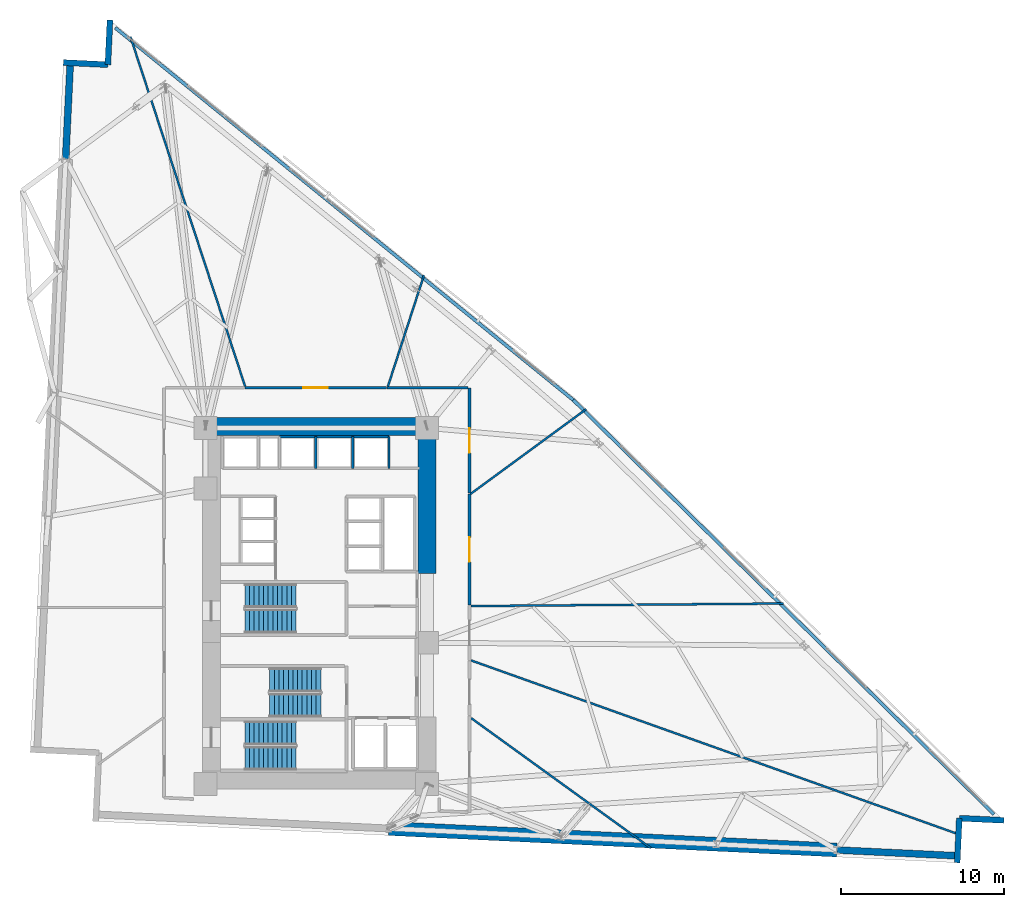
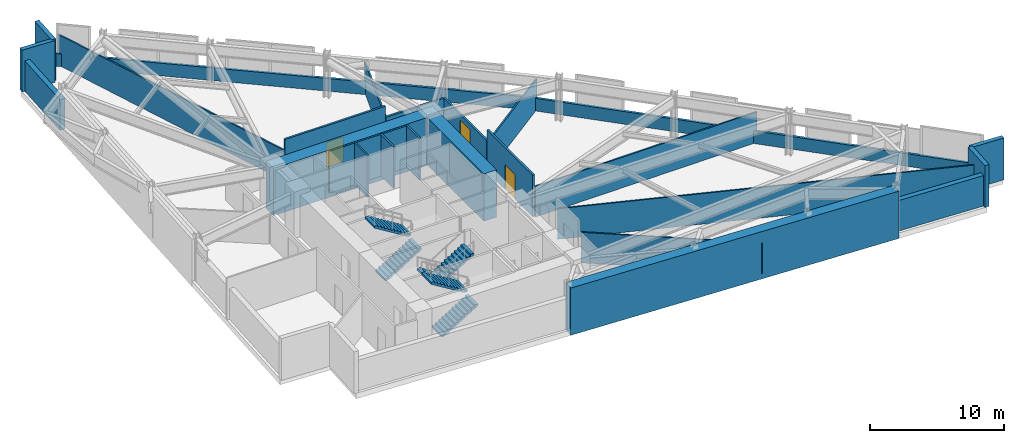
# One storey, part 14 of 18: 25 walls, 6 stair flights, 3 doors, 3 openings, 3 elements without a shape of their own.
"""IFC4 building model written with IfcOpenShell, lengths in metres."""

from ifc_helpers import new_model, si_unit, direction, frame, frame_2d, origin, place, context, subcontext, project, spatial, polyline, rectangle, outline, extrude, material, layer, layer_set, type_object, element, fill, aggregate, save


model = new_model("IFC4")

# Units and contexts
model_context = context("Model", 3, precision=1e-05, world=origin(), true_north=direction((0.0, 1.0)))
body_context = subcontext(model_context, "Body", "Model", "MODEL_VIEW")
ifc_project = project(units=[si_unit("LENGTHUNIT", "METRE"), si_unit("AREAUNIT", "SQUARE_METRE"), si_unit("VOLUMEUNIT", "CUBIC_METRE"), si_unit("PLANEANGLEUNIT", "RADIAN"), si_unit("MASSUNIT", "GRAM", prefix="KILO")], contexts=[model_context])

# Site, building, storey
site_placement = place(None, origin())
site = spatial("IfcSite", under=ifc_project, at=site_placement, CompositionType="ELEMENT")
building_placement = place(site_placement, origin())
building = spatial("IfcBuilding", under=site, at=building_placement, Name="Narakoshi Arena Tower", CompositionType="ELEMENT")
storey_placement = place(building_placement, frame((0.0, 0.0, 59.10009765625)))
storey = spatial("IfcBuildingStorey", under=building, at=storey_placement, Name="L15", CompositionType="ELEMENT", Elevation=59.10009765625)

# Walls
ifc_material_1 = material(Name="Concrete C60/75", Category="concrete")
ifc_layer_1 = layer(ifc_material_1, 1.10009765625)
ifc_layer_set_1 = layer_set([ifc_layer_1], Name="Concrete C60/75")
wall_type_1 = type_object("IfcWallType", Name="WL-CORE-1100", PredefinedType="SHEAR", material=ifc_layer_set_1)
wall_1_placement = place(storey_placement, frame((71.800048828125, 56.60009765625, -0.5), z_axis=(0.0, 0.0, 1.0), x_axis=(1.0, 0.0, 0.0)))
element("IfcWall", 1, at=wall_1_placement, inside=storey, type_object=wall_type_1, Name="L15 Main Core Shear Wall CW-MN-N", PredefinedType="SHEAR", context=body_context, shape_type="SweptSolid", body=[
    extrude(rectangle(XDim=14.300048828125, YDim=1.10009765625, at=frame_2d((7.14990234375, 0.0))), origin(), (0.0, 0.0, 1.0), 4.2998046875),
])
wall_2_placement = place(storey_placement, frame((85.550048828125, 47.60009765625, -0.5), z_axis=(0.0, 0.0, 1.0), x_axis=(0.0, 1.0, 0.0)))
element("IfcWall", 2, at=wall_2_placement, inside=storey, type_object=wall_type_1, Name="L15 Main Core Shear Wall CW-MN-E", PredefinedType="SHEAR", context=body_context, shape_type="SweptSolid", body=[
    extrude(rectangle(XDim=8.449951171875, YDim=1.10009765625, at=frame_2d((4.22509765625, 0.0))), origin(), (0.0, 0.0, 1.0), 4.2998046875),
])

# Wall, opening, door
ifc_material_2 = material(Name="Gypsum plasterboard fire-rated partition")
ifc_layer_2 = layer(ifc_material_2, 0.1650390625)
ifc_layer_set_2 = layer_set([ifc_layer_2], Name="Gypsum plasterboard fire-rated partition")
wall_type_2 = type_object("IfcWallType", Name="WL-CORR-165", PredefinedType="PARTITIONING", material=ifc_layer_set_2)
wall_3_placement = place(storey_placement, frame((88.14990234375, 45.65283203125, 0.0), z_axis=(0.0, 0.0, 1.0), x_axis=(0.0, 1.0, 0.0)))
wall_3 = element("IfcWall", 3, at=wall_3_placement, inside=storey, type_object=wall_type_2, Name="L15 Corridor Partition 06-1", PredefinedType="PARTITIONING", context=body_context, shape_type="SweptSolid", body=[
    extrude(rectangle(XDim=6.7880859375, YDim=0.1650390625, at=frame_2d((3.39404296875, 0.0))), origin(), (0.0, 0.0, 1.0), 3.7998046875),
])
opening_1_placement = place(wall_3_placement, frame((2.64404296875, 0.0, 0.0)))
opening_1 = element("IfcOpeningElement", 4, at=opening_1_placement, cuts=wall_3, Name="Opening D-09", PredefinedType="OPENING", context=body_context, shape_type="SweptSolid", body=[
    extrude(rectangle(XDim=1.5, YDim=2.25, at=frame_2d((0.75, 1.125))), frame((0.0, 0.092529296875, 0.0), z_axis=(0.0, -1.0, 0.0), x_axis=(1.0, 0.0, 0.0)), (0.0, 0.0, 1.0), 0.18505859375),
])
ifc_material_3 = material(Name="Painted galvanized steel", Category="steel")
door_type = type_object("IfcDoorType", Name="DR-PLT-1500", OperationType="DOUBLE_DOOR_SINGLE_SWING", PredefinedType="DOOR", material=ifc_material_3)
door_1_placement = place(opening_1_placement, frame((1.5, 0.0, 0.0), z_axis=(0.0, 0.0, 1.0), x_axis=(-1.0, 0.0, 0.0)))
door_1 = element("IfcDoor", 5, at=door_1_placement, inside=storey, type_object=door_type, Name="DR-L15-018", OperationType="DOUBLE_DOOR_SINGLE_SWING", OverallHeight=2.25, OverallWidth=1.5, PredefinedType="DOOR", context=body_context, shape_type="SweptSolid", body=[
    extrude(rectangle(XDim=1.5, YDim=2.25, at=frame_2d((0.75, 1.125))), frame((0.0, 0.02490234375, 0.0), z_axis=(0.0, -1.0, 0.0), x_axis=(1.0, 0.0, 0.0)), (0.0, 0.0, 1.0), 0.050048828125),
])
fill(opening_1, door_1)

wall_4_placement = place(storey_placement, frame((88.14990234375, 52.5029296875, 0.0), z_axis=(0.0, 0.0, 1.0), x_axis=(0.0, 1.0, 0.0)))
wall_4 = element("IfcWall", 6, at=wall_4_placement, inside=storey, type_object=wall_type_2, Name="L15 Corridor Partition 07-1", PredefinedType="PARTITIONING", context=body_context, shape_type="SweptSolid", body=[
    extrude(rectangle(XDim=6.447021484375, YDim=0.1650390625, at=frame_2d((3.2236328125, 0.0))), origin(), (0.0, 0.0, 1.0), 2.77685546875),
])
opening_2_placement = place(wall_4_placement, frame((2.473388671875, 0.0, 0.0)))
opening_2 = element("IfcOpeningElement", 7, at=opening_2_placement, cuts=wall_4, Name="Opening D-09", PredefinedType="OPENING", context=body_context, shape_type="SweptSolid", body=[
    extrude(rectangle(XDim=1.5, YDim=2.25, at=frame_2d((0.75, 1.125))), frame((0.0, 0.092529296875, 0.0), z_axis=(0.0, -1.0, 0.0), x_axis=(1.0, 0.0, 0.0)), (0.0, 0.0, 1.0), 0.18505859375),
])
door_2_placement = place(opening_2_placement, frame((1.5, 0.0, 0.0), z_axis=(0.0, 0.0, 1.0), x_axis=(-1.0, 0.0, 0.0)))
door_2 = element("IfcDoor", 8, at=door_2_placement, inside=storey, type_object=door_type, Name="DR-L15-019", OperationType="DOUBLE_DOOR_SINGLE_SWING", OverallHeight=2.25, OverallWidth=1.5, PredefinedType="DOOR", context=body_context, shape_type="SweptSolid", body=[
    extrude(rectangle(XDim=1.5, YDim=2.25, at=frame_2d((0.75, 1.125))), frame((0.0, 0.02490234375, 0.0), z_axis=(0.0, -1.0, 0.0), x_axis=(1.0, 0.0, 0.0)), (0.0, 0.0, 1.0), 0.050048828125),
])
fill(opening_2, door_2)

# Wall
wall_5_placement = place(storey_placement, frame((88.055419921875, 58.949951171875, 0.0), z_axis=(0.0, 0.0, 1.0), x_axis=(-1.0, 0.0, 0.0)))
element("IfcWall", 9, at=wall_5_placement, inside=storey, type_object=wall_type_2, Name="L15 Corridor Partition 07-2", PredefinedType="PARTITIONING", context=body_context, shape_type="SweptSolid", body=[
    extrude(rectangle(XDim=4.969482421875, YDim=0.1650390625, at=frame_2d((2.48486328125, 0.0))), origin(), (0.0, 0.0, 1.0), 2.77685546875),
])

# Wall, opening, door
wall_6_placement = place(storey_placement, frame((83.060791015625, 58.949951171875, 0.0), z_axis=(0.0, 0.0, 1.0), x_axis=(-1.0, 0.0, 0.0)))
wall_6 = element("IfcWall", 10, at=wall_6_placement, inside=storey, type_object=wall_type_2, Name="L15 Corridor Partition 08-1", PredefinedType="PARTITIONING", context=body_context, shape_type="SweptSolid", body=[
    extrude(rectangle(XDim=8.650390625, YDim=0.1650390625, at=frame_2d((4.3251953125, 0.0))), origin(), (0.0, 0.0, 1.0), 3.7998046875),
])
opening_3_placement = place(wall_6_placement, frame((3.5751953125, 0.0, 0.0)))
opening_3 = element("IfcOpeningElement", 11, at=opening_3_placement, cuts=wall_6, Name="Opening D-09", PredefinedType="OPENING", context=body_context, shape_type="SweptSolid", body=[
    extrude(rectangle(XDim=1.5, YDim=2.25, at=frame_2d((0.75, 1.125))), frame((0.0, 0.092529296875, 0.0), z_axis=(0.0, -1.0, 0.0), x_axis=(1.0, 0.0, 0.0)), (0.0, 0.0, 1.0), 0.18505859375),
])
door_3_placement = place(opening_3_placement, frame((1.5, 0.0, 0.0), z_axis=(0.0, 0.0, 1.0), x_axis=(-1.0, 0.0, 0.0)))
door_3 = element("IfcDoor", 12, at=door_3_placement, inside=storey, type_object=door_type, Name="DR-L15-020", OperationType="DOUBLE_DOOR_SINGLE_SWING", OverallHeight=2.25, OverallWidth=1.5, PredefinedType="DOOR", context=body_context, shape_type="SweptSolid", body=[
    extrude(rectangle(XDim=1.5, YDim=2.25, at=frame_2d((0.75, 1.125))), frame((0.0, 0.02490234375, 0.0), z_axis=(0.0, -1.0, 0.0), x_axis=(1.0, 0.0, 0.0)), (0.0, 0.0, 1.0), 0.050048828125),
])
fill(opening_3, door_3)

# Walls
ifc_layer_3 = layer(ifc_material_1, 0.85009765625)
ifc_layer_set_3 = layer_set([ifc_layer_3], Name="Concrete C60/75")
wall_type_3 = type_object("IfcWallType", Name="WL-LEG-850", PredefinedType="SHEAR", material=ifc_layer_set_3)
wall_7_placement = place(storey_placement, frame((83.2119140625, 31.979248046875, -0.5), z_axis=(0.0, 0.0, 1.0), x_axis=(0.998848235141, -0.047981279227, 0.0)))
element("IfcWall", 13, at=wall_7_placement, inside=storey, type_object=wall_type_3, Name="L15 Architectural Concrete Structural Wall LEGA-2", PredefinedType="SHEAR", context=body_context, shape_type="SweptSolid", body=[
    extrude(rectangle(XDim=27.456298828125, YDim=0.85009765625, at=frame_2d((13.72802734375, 0.0))), origin(), (0.0, 0.0, 1.0), 4.2998046875),
])
ifc_material_4 = material(Name="Precast concrete C45/55", Category="concrete")
ifc_layer_4 = layer(ifc_material_4, 0.25)
ifc_layer_set_4 = layer_set([ifc_layer_4], Name="Precast concrete C45/55")
wall_type_4 = type_object("IfcWallType", Name="WL-PARA-250", PredefinedType="PARAPET", material=ifc_layer_set_4)
wall_8_placement = place(storey_placement, frame((120.254150390625, 32.847900390625, 0.0), z_axis=(0.0, 0.0, 1.0), x_axis=(-0.71254385441, 0.701627576099, 0.0)))
element("IfcWall", 14, at=wall_8_placement, inside=storey, type_object=wall_type_4, Name="L15 Hypotenuse Sill Upstand Parapet 1-01", PredefinedType="PARAPET", context=body_context, shape_type="SweptSolid", body=[
    extrude(rectangle(XDim=36.1416015625, YDim=0.199951171875, at=frame_2d((18.07080078125, 0.0))), origin(), (0.0, 0.0, 1.0), 1.14990234375),
])
wall_9_placement = place(storey_placement, frame((94.51318359375, 58.19580078125, 0.0), z_axis=(0.0, 0.0, 1.0), x_axis=(-0.776001602097, 0.630730935933, 0.0)))
element("IfcWall", 15, at=wall_9_placement, inside=storey, type_object=wall_type_4, Name="L15 Hypotenuse Sill Upstand Parapet 2-01", PredefinedType="PARAPET", context=body_context, shape_type="SweptSolid", body=[
    extrude(rectangle(XDim=36.14794921875, YDim=0.199951171875, at=frame_2d((18.073974609375, 0.0))), origin(), (0.0, 0.0, 1.0), 1.14990234375),
])
ifc_layer_5 = layer(ifc_material_2, 0.125)
ifc_layer_set_5 = layer_set([ifc_layer_5], Name="Gypsum plasterboard fire-rated partition")
wall_type_5 = type_object("IfcWallType", Name="WL-PART-125", PredefinedType="PARTITIONING", material=ifc_layer_set_5)
wall_10_placement = place(storey_placement, frame((88.244384765625, 38.741455078125, 0.0), z_axis=(0.0, 0.0, 1.0), x_axis=(0.810248027695, -0.586087138245, 0.0)))
element("IfcWall", 16, at=wall_10_placement, inside=storey, type_object=wall_type_5, Name="L15 Inter-Room Partition 03-05", PredefinedType="PARTITIONING", context=body_context, shape_type="SweptSolid", body=[
    extrude(rectangle(XDim=13.578125, YDim=0.125, at=frame_2d((6.7890625, 0.0))), origin(), (0.0, 0.0, 1.0), 2.77685546875),
])
wall_11_placement = place(storey_placement, frame((118.083251953125, 31.627197265625, 0.0), z_axis=(0.0, 0.0, 1.0), x_axis=(-0.941883403833, 0.335939955326, 0.0)))
element("IfcWall", 17, at=wall_11_placement, inside=storey, type_object=wall_type_5, Name="L15 Inter-Room Partition 04-05", PredefinedType="PARTITIONING", context=body_context, shape_type="SweptSolid", body=[
    extrude(rectangle(XDim=31.679931640625, YDim=0.125, at=frame_2d((15.83984375, 0.0))), origin(), (0.0, 0.0, 1.0), 2.77685546875),
])
wall_12_placement = place(storey_placement, frame((88.244384765625, 45.593505859375, 0.0), z_axis=(0.0, 0.0, 1.0), x_axis=(0.999966031218, 0.008242354589, 0.0)))
element("IfcWall", 18, at=wall_12_placement, inside=storey, type_object=wall_type_5, Name="L15 Inter-Room Partition 04-06", PredefinedType="PARTITIONING", context=body_context, shape_type="SweptSolid", body=[
    extrude(rectangle(XDim=19.134765625, YDim=0.125, at=frame_2d((9.5673828125, 0.0))), origin(), (0.0, 0.0, 1.0), 2.77685546875),
])
wall_13_placement = place(storey_placement, frame((88.191162109375, 52.44091796875, 0.0), z_axis=(0.0, 0.0, 1.0), x_axis=(0.806317750357, 0.591482616363, 0.0)))
element("IfcWall", 19, at=wall_13_placement, inside=storey, type_object=wall_type_5, Name="L15 Inter-Room Partition 06-07", PredefinedType="PARTITIONING", context=body_context, shape_type="SweptSolid", body=[
    extrude(rectangle(XDim=8.808349609375, YDim=0.125, at=frame_2d((4.404296875, 0.0))), origin(), (0.0, 0.0, 1.0), 2.77685546875),
])
wall_14_placement = place(storey_placement, frame((83.154541015625, 59.04443359375, 0.0), z_axis=(0.0, 0.0, 1.0), x_axis=(0.308684326179, 0.951164542427, 0.0)))
element("IfcWall", 20, at=wall_14_placement, inside=storey, type_object=wall_type_5, Name="L15 Inter-Room Partition 07-08", PredefinedType="PARTITIONING", context=body_context, shape_type="SweptSolid", body=[
    extrude(rectangle(XDim=7.145751953125, YDim=0.125, at=frame_2d((3.57275390625, 0.0))), origin(), (0.0, 0.0, 1.0), 2.77685546875),
])
wall_15_placement = place(storey_placement, frame((74.4140625, 59.04443359375, 0.0), z_axis=(0.0, 0.0, 1.0), x_axis=(-0.311710476801, 0.950177130146, 0.0)))
element("IfcWall", 21, at=wall_15_placement, inside=storey, type_object=wall_type_5, Name="L15 Inter-Room Partition 08-09", PredefinedType="PARTITIONING", context=body_context, shape_type="SweptSolid", body=[
    extrude(rectangle(XDim=22.5224609375, YDim=0.125, at=frame_2d((11.26123046875, 0.0))), origin(), (0.0, 0.0, 1.0), 2.77685546875),
])
ifc_layer_6 = layer(ifc_material_4, 0.419921875)
ifc_layer_set_6 = layer_set([ifc_layer_6], Name="Precast concrete C45/55")
wall_type_6 = type_object("IfcWallType", Name="WL-POD-420", PredefinedType="SOLIDWALL", material=ifc_layer_set_6)
wall_16_placement = place(storey_placement, frame((110.636474609375, 30.661865234375, 0.0), z_axis=(0.0, 0.0, 1.0), x_axis=(0.998847872759, -0.047988822508, 0.0)))
element("IfcWall", 22, at=wall_16_placement, inside=storey, type_object=wall_type_6, Name="L15 Architectural Concrete Facade Wall LEGA-3", PredefinedType="SOLIDWALL", context=body_context, shape_type="SweptSolid", body=[
    extrude(rectangle(XDim=7.39208984375, YDim=0.419921875, at=frame_2d((3.696044921875, 0.0))), origin(), (0.0, 0.0, 1.0), 2.77685546875),
])
wall_17_placement = place(storey_placement, frame((63.711181640625, 78.84375, 0.0), z_axis=(0.0, 0.0, 1.0), x_axis=(-0.048007946398, -0.998846953784, 0.0)))
element("IfcWall", 23, at=wall_17_placement, inside=storey, type_object=wall_type_6, Name="L15 Architectural Concrete Facade Wall LEGB-1", PredefinedType="SOLIDWALL", context=body_context, shape_type="SweptSolid", body=[
    extrude(rectangle(XDim=5.89404296875, YDim=0.419921875, at=frame_2d((2.947021484375, 0.0))), origin(), (0.0, 0.0, 1.0), 2.77685546875),
])
for number, where, z_axis, x_axis, name in (
    (24, (117.99951171875, 29.8828125, 0.0), (0.0, 0.0, 1.0), (0.048024030708, 0.998846180588, 0.0), "L15 Re-Entrant Corner Notch Wall NTE-1"),
    (25, (118.130615234375, 32.609619140625, 0.0), (0.0, 0.0, 1.0), (0.998846180588, -0.048024030708, 0.0), "L15 Re-Entrant Corner Notch Wall NTE-2"),
    (26, (66.144287109375, 81.4599609375, 0.0), (0.0, 0.0, 1.0), (-0.047934806162, -0.998850466465, 0.0), "L15 Re-Entrant Corner Notch Wall NTN-1"),
    (27, (66.013427734375, 78.733154296875, 0.0), (0.0, 0.0, 1.0), (-0.998846180588, 0.048024030708, 0.0), "L15 Re-Entrant Corner Notch Wall NTN-2"),
):
    element("IfcWall", number, at=place(storey_placement, frame(where, z_axis=z_axis, x_axis=x_axis)), inside=storey, type_object=wall_type_6, Name=name, PredefinedType="SOLIDWALL", context=body_context, shape_type="SweptSolid", body=[
        extrude(rectangle(XDim=2.72998046875, YDim=0.360107421875, at=frame_2d((1.364990234375, 0.0))), origin(), (0.0, 0.0, 1.0), 3.7998046875),
    ])
ifc_material_5 = material(Name="Concrete C40/50", Category="concrete")
ifc_layer_7 = layer(ifc_material_5, 0.280029296875)
ifc_layer_set_7 = layer_set([ifc_layer_7], Name="Concrete C40/50")
wall_type_7 = type_object("IfcWallType", Name="WL-RISER-280", PredefinedType="PLUMBINGWALL", material=ifc_layer_set_7)
for number, where, z_axis, x_axis, name in (
    (28, (78.75, 54.02001953125, 0.0), (0.0, 0.0, 1.0), (0.0, 1.0, 0.0), "L15 Core Wall HR-D1"),
    (29, (81.0, 54.02001953125, 0.0), (0.0, 0.0, 1.0), (0.0, 1.0, 0.0), "L15 Core Wall HR-D2"),
):
    element("IfcWall", number, at=place(storey_placement, frame(where, z_axis=z_axis, x_axis=x_axis)), inside=storey, type_object=wall_type_7, Name=name, PredefinedType="PLUMBINGWALL", context=body_context, shape_type="SweptSolid", body=[
        extrude(rectangle(XDim=1.9599609375, YDim=0.14990234375, at=frame_2d((0.97998046875, 0.0))), origin(), (0.0, 0.0, 1.0), 3.7998046875),
    ])
ifc_material_6 = material(Name="Concrete C50/60", Category="concrete")
ifc_layer_8 = layer(ifc_material_6, 0.35009765625)
ifc_layer_set_8 = layer_set([ifc_layer_8], Name="Concrete C50/60")
wall_type_8 = type_object("IfcWallType", Name="WL-SHAFT-350", PredefinedType="SOLIDWALL", material=ifc_layer_set_8)
wall_18_placement = place(storey_placement, frame((83.219970703125, 54.02001953125, 0.0), z_axis=(0.0, 0.0, 1.0), x_axis=(0.0, 1.0, 0.0)))
element("IfcWall", 30, at=wall_18_placement, inside=storey, type_object=wall_type_8, Name="L15 Core Wall HR-E", PredefinedType="SOLIDWALL", context=body_context, shape_type="SweptSolid", body=[
    extrude(rectangle(XDim=1.9599609375, YDim=0.14990234375, at=frame_2d((0.97998046875, 0.0))), origin(), (0.0, 0.0, 1.0), 3.7998046875),
])
wall_19_placement = place(storey_placement, frame((76.52001953125, 55.9599609375, 0.0), z_axis=(0.0, 0.0, 1.0), x_axis=(1.0, 0.0, 0.0)))
element("IfcWall", 31, at=wall_19_placement, inside=storey, type_object=wall_type_8, Name="L15 Core Wall HR-N", PredefinedType="SOLIDWALL", context=body_context, shape_type="SweptSolid", body=[
    extrude(rectangle(XDim=6.699951171875, YDim=0.14990234375, at=frame_2d((3.35009765625, 0.0))), origin(), (0.0, 0.0, 1.0), 3.7998046875),
])

# Stair, stair flights
ifc_material_7 = material(Name="Concrete C45/55", Category="concrete")
stair_type = type_object("IfcStairType", Name="STR-PLANT-420", PredefinedType="TWO_STRAIGHT_RUN_STAIR", material=ifc_material_7)
stair_1_placement = place(storey_placement, origin())
stair_1 = element("IfcStair", 32, at=stair_1_placement, inside=storey, type_object=stair_type, Name="L15 Core Escape Stair ST1", PredefinedType="TWO_STRAIGHT_RUN_STAIR")
stair_flight_type = type_object("IfcStairFlightType", Name="FLT-145-160", PredefinedType="STRAIGHT", material=ifc_material_4)
stair_flight_1_placement = place(storey_placement, frame((74.39990234375, 36.27490234375, 0.0), z_axis=(0.0, 0.0, 1.0), x_axis=(1.0, 0.0, 0.0)))
stair_flight_1 = element("IfcStairFlight", 33, at=stair_flight_1_placement, type_object=stair_flight_type, Name="ST1 flight 1", NumberOfRisers=12, NumberOfTreads=11, PredefinedType="STRAIGHT", RiserHeight=0.175, TreadLength=0.285, context=body_context, shape_type="SweptSolid", body=[
    extrude(outline(polyline([(0.0, 0.0), (0.0, 0.175048828125), (0.284912109375, 0.175048828125), (0.284912109375, 0.35009765625), (0.570068359375, 0.35009765625), (0.570068359375, 0.52490234375), (0.85498046875, 0.52490234375), (0.85498046875, 0.699951171875), (1.139892578125, 0.699951171875), (1.139892578125, 0.875), (1.425048828125, 0.875), (1.425048828125, 1.050048828125), (1.7099609375, 1.050048828125), (1.7099609375, 1.22509765625), (1.9951171875, 1.22509765625), (1.9951171875, 1.39990234375), (2.280029296875, 1.39990234375), (2.280029296875, 1.574951171875), (2.56494140625, 1.574951171875), (2.56494140625, 1.75), (2.85009765625, 1.75), (2.85009765625, 1.925048828125), (3.135009765625, 1.925048828125), (3.135009765625, 2.10009765625), (3.135009765625, 1.7490234375), (0.286376953125, 0.0), (0.0, 0.0)])), frame((0.0, 0.72509765625, 0.0), z_axis=(0.0, -1.0, 0.0), x_axis=(1.0, 0.0, 0.0)), (0.0, 0.0, 1.0), 1.449951171875),
])
stair_flight_2_placement = place(storey_placement, frame((77.534912109375, 37.824951171875, 2.099853515625), z_axis=(0.0, 0.0, 1.0), x_axis=(-1.0, 0.0, 0.0)))
stair_flight_2 = element("IfcStairFlight", 34, at=stair_flight_2_placement, type_object=stair_flight_type, Name="ST1 flight 2", NumberOfRisers=12, NumberOfTreads=11, PredefinedType="STRAIGHT", RiserHeight=0.175, TreadLength=0.285, context=body_context, shape_type="SweptSolid", body=[
    extrude(outline(polyline([(0.0, 0.0), (0.0, 0.175048828125), (0.284912109375, 0.175048828125), (0.284912109375, 0.35009765625), (0.570068359375, 0.35009765625), (0.570068359375, 0.52490234375), (0.85498046875, 0.52490234375), (0.85498046875, 0.699951171875), (1.139892578125, 0.699951171875), (1.139892578125, 0.875), (1.425048828125, 0.875), (1.425048828125, 1.050048828125), (1.7099609375, 1.050048828125), (1.7099609375, 1.22509765625), (1.9951171875, 1.22509765625), (1.9951171875, 1.39990234375), (2.280029296875, 1.39990234375), (2.280029296875, 1.574951171875), (2.56494140625, 1.574951171875), (2.56494140625, 1.75), (2.85009765625, 1.75), (2.85009765625, 1.925048828125), (3.135009765625, 1.925048828125), (3.135009765625, 2.10009765625), (3.135009765625, 1.7490234375), (0.286376953125, 0.0), (0.0, 0.0)])), frame((0.0, 0.72509765625, 0.0), z_axis=(0.0, -1.0, 0.0), x_axis=(1.0, 0.0, 0.0)), (0.0, 0.0, 1.0), 1.449951171875),
])
aggregate(stair_1, [stair_flight_1, stair_flight_2])

stair_2_placement = place(storey_placement, origin())
stair_2 = element("IfcStair", 35, at=stair_2_placement, inside=storey, type_object=stair_type, Name="L15 Core Escape Stair ST2", PredefinedType="TWO_STRAIGHT_RUN_STAIR")
stair_flight_3_placement = place(storey_placement, frame((79.050048828125, 41.074951171875, 0.0), z_axis=(0.0, 0.0, 1.0), x_axis=(-1.0, 0.0, 0.0)))
stair_flight_3 = element("IfcStairFlight", 36, at=stair_flight_3_placement, type_object=stair_flight_type, Name="ST2 flight 1", NumberOfRisers=12, NumberOfTreads=11, PredefinedType="STRAIGHT", RiserHeight=0.175, TreadLength=0.285, context=body_context, shape_type="SweptSolid", body=[
    extrude(outline(polyline([(0.0, 0.0), (0.0, 0.175048828125), (0.284912109375, 0.175048828125), (0.284912109375, 0.35009765625), (0.570068359375, 0.35009765625), (0.570068359375, 0.52490234375), (0.85498046875, 0.52490234375), (0.85498046875, 0.699951171875), (1.139892578125, 0.699951171875), (1.139892578125, 0.875), (1.425048828125, 0.875), (1.425048828125, 1.050048828125), (1.7099609375, 1.050048828125), (1.7099609375, 1.22509765625), (1.9951171875, 1.22509765625), (1.9951171875, 1.39990234375), (2.280029296875, 1.39990234375), (2.280029296875, 1.574951171875), (2.56494140625, 1.574951171875), (2.56494140625, 1.75), (2.85009765625, 1.75), (2.85009765625, 1.925048828125), (3.135009765625, 1.925048828125), (3.135009765625, 2.10009765625), (3.135009765625, 1.7490234375), (0.286376953125, 0.0), (0.0, 0.0)])), frame((0.0, 0.72509765625, 0.0), z_axis=(0.0, -1.0, 0.0), x_axis=(1.0, 0.0, 0.0)), (0.0, 0.0, 1.0), 1.449951171875),
])
stair_flight_4_placement = place(storey_placement, frame((75.9150390625, 39.52490234375, 2.099853515625), z_axis=(0.0, 0.0, 1.0), x_axis=(1.0, 0.0, 0.0)))
stair_flight_4 = element("IfcStairFlight", 37, at=stair_flight_4_placement, type_object=stair_flight_type, Name="ST2 flight 2", NumberOfRisers=12, NumberOfTreads=11, PredefinedType="STRAIGHT", RiserHeight=0.175, TreadLength=0.285, context=body_context, shape_type="SweptSolid", body=[
    extrude(outline(polyline([(0.0, 0.0), (0.0, 0.175048828125), (0.284912109375, 0.175048828125), (0.284912109375, 0.35009765625), (0.570068359375, 0.35009765625), (0.570068359375, 0.52490234375), (0.85498046875, 0.52490234375), (0.85498046875, 0.699951171875), (1.139892578125, 0.699951171875), (1.139892578125, 0.875), (1.425048828125, 0.875), (1.425048828125, 1.050048828125), (1.7099609375, 1.050048828125), (1.7099609375, 1.22509765625), (1.9951171875, 1.22509765625), (1.9951171875, 1.39990234375), (2.280029296875, 1.39990234375), (2.280029296875, 1.574951171875), (2.56494140625, 1.574951171875), (2.56494140625, 1.75), (2.85009765625, 1.75), (2.85009765625, 1.925048828125), (3.135009765625, 1.925048828125), (3.135009765625, 2.10009765625), (3.135009765625, 1.7490234375), (0.286376953125, 0.0), (0.0, 0.0)])), frame((0.0, 0.72509765625, 0.0), z_axis=(0.0, -1.0, 0.0), x_axis=(1.0, 0.0, 0.0)), (0.0, 0.0, 1.0), 1.449951171875),
])
aggregate(stair_2, [stair_flight_3, stair_flight_4])

stair_3_placement = place(storey_placement, origin())
stair_3 = element("IfcStair", 38, at=stair_3_placement, inside=storey, type_object=stair_type, Name="L15 Core Escape Stair ST3", PredefinedType="TWO_STRAIGHT_RUN_STAIR")
stair_flight_5_placement = place(storey_placement, frame((74.39990234375, 44.675048828125, 0.0), z_axis=(0.0, 0.0, 1.0), x_axis=(1.0, 0.0, 0.0)))
stair_flight_5 = element("IfcStairFlight", 39, at=stair_flight_5_placement, type_object=stair_flight_type, Name="ST3 flight 1", NumberOfRisers=12, NumberOfTreads=11, PredefinedType="STRAIGHT", RiserHeight=0.175, TreadLength=0.285, context=body_context, shape_type="SweptSolid", body=[
    extrude(outline(polyline([(0.0, 0.0), (0.0, 0.175048828125), (0.284912109375, 0.175048828125), (0.284912109375, 0.35009765625), (0.570068359375, 0.35009765625), (0.570068359375, 0.52490234375), (0.85498046875, 0.52490234375), (0.85498046875, 0.699951171875), (1.139892578125, 0.699951171875), (1.139892578125, 0.875), (1.425048828125, 0.875), (1.425048828125, 1.050048828125), (1.7099609375, 1.050048828125), (1.7099609375, 1.22509765625), (1.9951171875, 1.22509765625), (1.9951171875, 1.39990234375), (2.280029296875, 1.39990234375), (2.280029296875, 1.574951171875), (2.56494140625, 1.574951171875), (2.56494140625, 1.75), (2.85009765625, 1.75), (2.85009765625, 1.925048828125), (3.135009765625, 1.925048828125), (3.135009765625, 2.10009765625), (3.135009765625, 1.7490234375), (0.286376953125, 0.0), (0.0, 0.0)])), frame((0.0, 0.72509765625, 0.0), z_axis=(0.0, -1.0, 0.0), x_axis=(1.0, 0.0, 0.0)), (0.0, 0.0, 1.0), 1.449951171875),
])
stair_flight_6_placement = place(storey_placement, frame((77.534912109375, 46.22509765625, 2.099853515625), z_axis=(0.0, 0.0, 1.0), x_axis=(-1.0, 0.0, 0.0)))
stair_flight_6 = element("IfcStairFlight", 40, at=stair_flight_6_placement, type_object=stair_flight_type, Name="ST3 flight 2", NumberOfRisers=12, NumberOfTreads=11, PredefinedType="STRAIGHT", RiserHeight=0.175, TreadLength=0.285, context=body_context, shape_type="SweptSolid", body=[
    extrude(outline(polyline([(0.0, 0.0), (0.0, 0.175048828125), (0.284912109375, 0.175048828125), (0.284912109375, 0.35009765625), (0.570068359375, 0.35009765625), (0.570068359375, 0.52490234375), (0.85498046875, 0.52490234375), (0.85498046875, 0.699951171875), (1.139892578125, 0.699951171875), (1.139892578125, 0.875), (1.425048828125, 0.875), (1.425048828125, 1.050048828125), (1.7099609375, 1.050048828125), (1.7099609375, 1.22509765625), (1.9951171875, 1.22509765625), (1.9951171875, 1.39990234375), (2.280029296875, 1.39990234375), (2.280029296875, 1.574951171875), (2.56494140625, 1.574951171875), (2.56494140625, 1.75), (2.85009765625, 1.75), (2.85009765625, 1.925048828125), (3.135009765625, 1.925048828125), (3.135009765625, 2.10009765625), (3.135009765625, 1.7490234375), (0.286376953125, 0.0), (0.0, 0.0)])), frame((0.0, 0.72509765625, 0.0), z_axis=(0.0, -1.0, 0.0), x_axis=(1.0, 0.0, 0.0)), (0.0, 0.0, 1.0), 1.449951171875),
])
aggregate(stair_3, [stair_flight_5, stair_flight_6])

save(model, "model.ifc")
